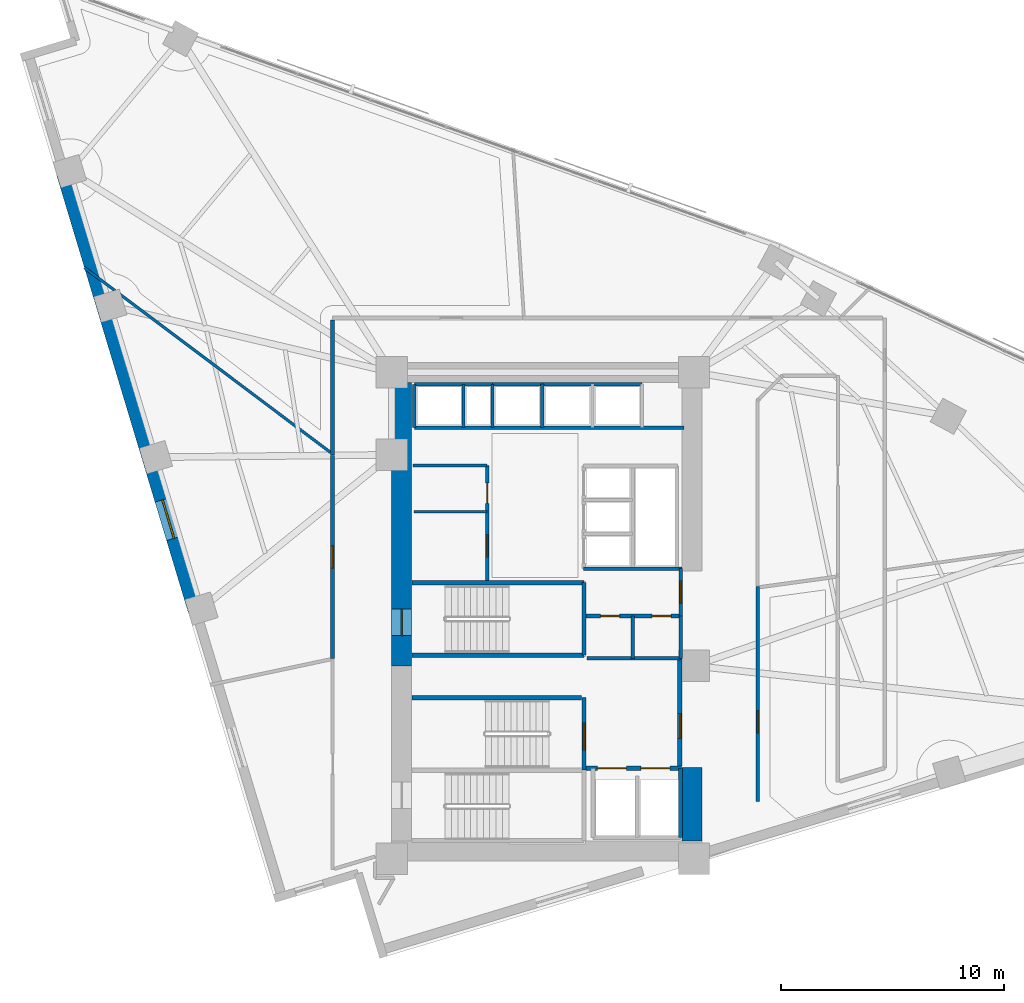
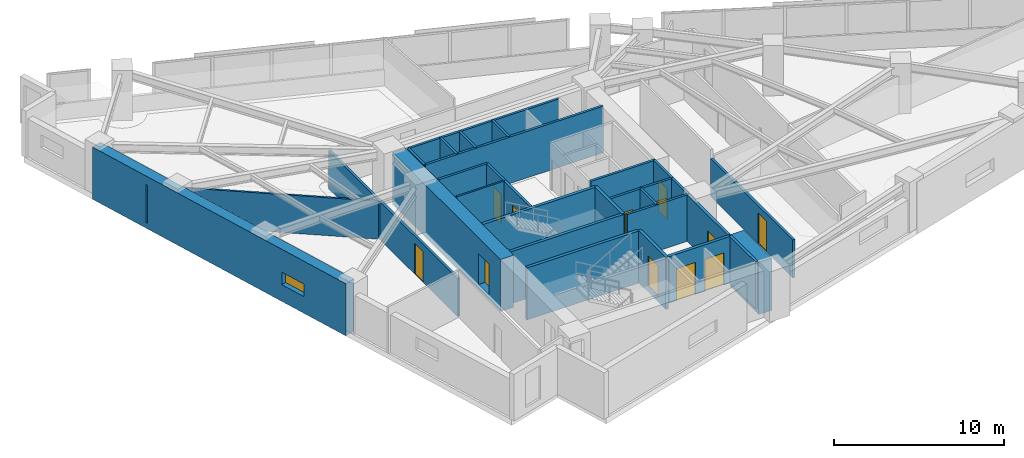
# One storey, part 10 of 16: 31 walls, 12 doors, 1 window, 13 openings.
"""IFC4 building model written with IfcOpenShell, lengths in metres."""

from ifc_helpers import new_model, si_unit, direction, frame, frame_2d, origin, place, context, subcontext, project, spatial, rectangle, extrude, material, layer, layer_set, type_object, element, fill, save


model = new_model("IFC4")

# Units and contexts
model_context = context("Model", 3, precision=1e-05, world=origin(), true_north=direction((0.0, 1.0)))
body_context = subcontext(model_context, "Body", "Model", "MODEL_VIEW")
ifc_project = project(units=[si_unit("LENGTHUNIT", "METRE"), si_unit("AREAUNIT", "SQUARE_METRE"), si_unit("VOLUMEUNIT", "CUBIC_METRE"), si_unit("PLANEANGLEUNIT", "RADIAN"), si_unit("MASSUNIT", "GRAM", prefix="KILO")], contexts=[model_context])

# Site, building, storey
site_placement = place(None, origin())
site = spatial("IfcSite", under=ifc_project, at=site_placement, CompositionType="ELEMENT")
building_placement = place(site_placement, origin())
building = spatial("IfcBuilding", under=site, at=building_placement, Name="Narakoshi Arena Tower", CompositionType="ELEMENT")
storey_placement = place(building_placement, frame((0.0, 0.0, 132.300048828125)))
storey = spatial("IfcBuildingStorey", under=building, at=storey_placement, Name="L35", CompositionType="ELEMENT", Elevation=132.300048828125)

# Wall
ifc_material_1 = material(Name="Concrete C60/75", Category="concrete")
ifc_layer_1 = layer(ifc_material_1, 0.89990234375)
ifc_layer_set_1 = layer_set([ifc_layer_1], Name="Concrete C60/75")
wall_type_1 = type_object("IfcWallType", Name="WL-CORE-900", PredefinedType="SHEAR", material=ifc_layer_set_1)
wall_1_placement = place(storey_placement, frame((85.449951171875, 35.5, -0.400146484375), z_axis=(0.0, 0.0, 1.0), x_axis=(0.0, 1.0, 0.0)))
element("IfcWall", 1, at=wall_1_placement, inside=storey, type_object=wall_type_1, Name="L35 Central Core Shear Wall CW-APX-E", PredefinedType="SHEAR", context=body_context, shape_type="SweptSolid", body=[
    extrude(rectangle(XDim=3.300048828125, YDim=0.89990234375, at=frame_2d((1.64990234375, 0.0))), origin(), (0.0, 0.0, 1.0), 3.739990234375),
])

# Wall, opening, door
wall_2_placement = place(storey_placement, frame((72.449951171875, 43.35009765625, -0.400146484375), z_axis=(0.0, 0.0, 1.0), x_axis=(0.0, 1.0, 0.0)))
wall_2 = element("IfcWall", 2, at=wall_2_placement, inside=storey, type_object=wall_type_1, Name="L35 Main Core Shear Wall CW-MN-W", PredefinedType="SHEAR", context=body_context, shape_type="SweptSolid", body=[
    extrude(rectangle(XDim=12.699951171875, YDim=0.89990234375, at=frame_2d((6.35009765625, 0.0))), origin(), (0.0, 0.0, 1.0), 3.739990234375),
])
opening_1_placement = place(wall_2_placement, frame((1.35009765625, 0.0, 0.39990234375)))
opening_1 = element("IfcOpeningElement", 3, at=opening_1_placement, cuts=wall_2, Name="Opening D-03", PredefinedType="OPENING", context=body_context, shape_type="SweptSolid", body=[
    extrude(rectangle(XDim=1.199951171875, YDim=2.199951171875, at=frame_2d((0.60009765625, 1.10009765625))), frame((0.0, 0.4599609375, 0.0), z_axis=(0.0, -1.0, 0.0), x_axis=(1.0, 0.0, 0.0)), (0.0, 0.0, 1.0), 0.919921875),
])
ifc_material_2 = material(Name="Painted galvanized steel", Category="steel")
door_type_1 = type_object("IfcDoorType", Name="DR-STR-1200", OperationType="NOTDEFINED", PredefinedType="USERDEFINED", material=ifc_material_2)
door_1_placement = place(opening_1_placement, frame((1.199951171875, 0.0, 0.0), z_axis=(0.0, 0.0, 1.0), x_axis=(-1.0, 0.0, 0.0)))
door_1 = element("IfcDoor", 4, at=door_1_placement, inside=storey, type_object=door_type_1, Name="DR-L35-006", ObjectType="EXITDOOR", OperationType="SINGLE_SWING_LEFT", OverallHeight=2.199951171875, OverallWidth=1.199951171875, PredefinedType="USERDEFINED", context=body_context, shape_type="SweptSolid", body=[
    extrude(rectangle(XDim=1.199951171875, YDim=2.199951171875, at=frame_2d((0.60009765625, 1.10009765625))), frame((0.0, 0.02490234375, 0.0), z_axis=(0.0, -1.0, 0.0), x_axis=(1.0, 0.0, 0.0)), (0.0, 0.0, 1.0), 0.050048828125),
])
fill(opening_1, door_1)

ifc_material_3 = material(Name="Gypsum plasterboard fire-rated partition")
ifc_layer_2 = layer(ifc_material_3, 0.1650390625)
ifc_layer_set_2 = layer_set([ifc_layer_2], Name="Gypsum plasterboard fire-rated partition")
wall_type_2 = type_object("IfcWallType", Name="WL-CORR-165", PredefinedType="PARTITIONING", material=ifc_layer_set_2)
wall_3_placement = place(storey_placement, frame((84.949951171875, 45.580078125, 0.0), z_axis=(0.0, 0.0, 1.0), x_axis=(0.0, 1.0, 0.0)))
wall_3 = element("IfcWall", 5, at=wall_3_placement, inside=storey, type_object=wall_type_2, Name="L35 Core Wall CPAS-E", PredefinedType="PARTITIONING", context=body_context, shape_type="SweptSolid", body=[
    extrude(rectangle(XDim=2.119873046875, YDim=0.1650390625, at=frame_2d((1.06005859375, 0.0))), origin(), (0.0, 0.0, 1.0), 3.33984375),
])
opening_2_placement = place(wall_3_placement, frame((0.56005859375, 0.0, 0.0)))
opening_2 = element("IfcOpeningElement", 6, at=opening_2_placement, cuts=wall_3, Name="Opening D-06", PredefinedType="OPENING", context=body_context, shape_type="SweptSolid", body=[
    extrude(rectangle(XDim=1.0, YDim=2.199951171875, at=frame_2d((0.5, 1.10009765625))), frame((0.0, 0.092529296875, 0.0), z_axis=(0.0, -1.0, 0.0), x_axis=(1.0, 0.0, 0.0)), (0.0, 0.0, 1.0), 0.18505859375),
])
ifc_material_4 = material(Name="Stained oak solid-core timber", Category="wood")
door_type_2 = type_object("IfcDoorType", Name="DR-OFF-1000", OperationType="NOTDEFINED", PredefinedType="DOOR", material=ifc_material_4)
door_2_placement = place(opening_2_placement, frame((1.0, 0.0, 0.0), z_axis=(0.0, 0.0, 1.0), x_axis=(-1.0, 0.0, 0.0)))
door_2 = element("IfcDoor", 7, at=door_2_placement, inside=storey, type_object=door_type_2, Name="DR-L35-007", OperationType="SINGLE_SWING_LEFT", OverallHeight=2.199951171875, OverallWidth=1.0, PredefinedType="DOOR", context=body_context, shape_type="SweptSolid", body=[
    extrude(rectangle(XDim=1.0, YDim=2.199951171875, at=frame_2d((0.5, 1.10009765625))), frame((0.0, 0.02490234375, 0.0), z_axis=(0.0, -1.0, 0.0), x_axis=(1.0, 0.0, 0.0)), (0.0, 0.0, 1.0), 0.050048828125),
])
fill(opening_2, door_2)

wall_4_placement = place(storey_placement, frame((88.39990234375, 37.256103515625, 0.0), z_axis=(0.0, 0.0, 1.0), x_axis=(0.0, 1.0, 0.0)))
wall_4 = element("IfcWall", 8, at=wall_4_placement, inside=storey, type_object=wall_type_2, Name="L35 Corridor Partition 02-1", PredefinedType="PARTITIONING", context=body_context, shape_type="SweptSolid", body=[
    extrude(rectangle(XDim=9.63818359375, YDim=0.1650390625, at=frame_2d((4.819091796875, 0.0))), origin(), (0.0, 0.0, 1.0), 2.724853515625),
])
opening_3_placement = place(wall_4_placement, frame((3.08349609375, 0.0, 0.0)))
opening_3 = element("IfcOpeningElement", 9, at=opening_3_placement, cuts=wall_4, Name="Opening D-06", PredefinedType="OPENING", context=body_context, shape_type="SweptSolid", body=[
    extrude(rectangle(XDim=1.0, YDim=2.199951171875, at=frame_2d((0.5, 1.10009765625))), frame((0.0, 0.092529296875, 0.0), z_axis=(0.0, -1.0, 0.0), x_axis=(1.0, 0.0, 0.0)), (0.0, 0.0, 1.0), 0.18505859375),
])
door_3_placement = place(opening_3_placement, frame((1.0, 0.0, 0.0), z_axis=(0.0, 0.0, 1.0), x_axis=(-1.0, 0.0, 0.0)))
door_3 = element("IfcDoor", 10, at=door_3_placement, inside=storey, type_object=door_type_2, Name="DR-L35-016", OperationType="SINGLE_SWING_RIGHT", OverallHeight=2.199951171875, OverallWidth=1.0, PredefinedType="DOOR", context=body_context, shape_type="SweptSolid", body=[
    extrude(rectangle(XDim=1.0, YDim=2.199951171875, at=frame_2d((0.5, 1.10009765625))), frame((0.0, 0.02490234375, 0.0), z_axis=(0.0, -1.0, 0.0), x_axis=(1.0, 0.0, 0.0)), (0.0, 0.0, 1.0), 0.050048828125),
])
fill(opening_3, door_3)

# Wall
wall_5_placement = place(storey_placement, frame((69.353759765625, 58.842529296875, 0.0), z_axis=(0.0, 0.0, 1.0), x_axis=(0.0, -1.0, 0.0)))
element("IfcWall", 11, at=wall_5_placement, inside=storey, type_object=wall_type_2, Name="L35 Corridor Partition 06-2", PredefinedType="PARTITIONING", context=body_context, shape_type="SweptSolid", body=[
    extrude(rectangle(XDim=6.04443359375, YDim=0.1650390625, at=frame_2d((3.022216796875, 0.0))), origin(), (0.0, 0.0, 1.0), 2.724853515625),
])

# Wall, opening, door
wall_6_placement = place(storey_placement, frame((69.353759765625, 52.76806640625, 0.0), z_axis=(0.0, 0.0, 1.0), x_axis=(0.0, -1.0, 0.0)))
wall_6 = element("IfcWall", 12, at=wall_6_placement, inside=storey, type_object=wall_type_2, Name="L35 Corridor Partition 07-1", PredefinedType="PARTITIONING", context=body_context, shape_type="SweptSolid", body=[
    extrude(rectangle(XDim=9.086181640625, YDim=0.1650390625, at=frame_2d((4.54296875, 0.0))), origin(), (0.0, 0.0, 1.0), 2.724853515625),
])
opening_4_placement = place(wall_6_placement, frame((4.043212890625, 0.0, 0.0)))
opening_4 = element("IfcOpeningElement", 13, at=opening_4_placement, cuts=wall_6, Name="Opening D-06", PredefinedType="OPENING", context=body_context, shape_type="SweptSolid", body=[
    extrude(rectangle(XDim=1.0, YDim=2.199951171875, at=frame_2d((0.5, 1.10009765625))), frame((0.0, 0.092529296875, 0.0), z_axis=(0.0, -1.0, 0.0), x_axis=(1.0, 0.0, 0.0)), (0.0, 0.0, 1.0), 0.18505859375),
])
door_4_placement = place(opening_4_placement, frame((1.0, 0.0, 0.0), z_axis=(0.0, 0.0, 1.0), x_axis=(-1.0, 0.0, 0.0)))
door_4 = element("IfcDoor", 14, at=door_4_placement, inside=storey, type_object=door_type_2, Name="DR-L35-021", OperationType="SINGLE_SWING_LEFT", OverallHeight=2.199951171875, OverallWidth=1.0, PredefinedType="DOOR", context=body_context, shape_type="SweptSolid", body=[
    extrude(rectangle(XDim=1.0, YDim=2.199951171875, at=frame_2d((0.5, 1.10009765625))), frame((0.0, 0.02490234375, 0.0), z_axis=(0.0, -1.0, 0.0), x_axis=(1.0, 0.0, 0.0)), (0.0, 0.0, 1.0), 0.050048828125),
])
fill(opening_4, door_4)

# Wall, opening, window
ifc_layer_3 = layer(ifc_material_1, 0.699951171875)
ifc_layer_set_3 = layer_set([ifc_layer_3], Name="Concrete C60/75")
wall_type_3 = type_object("IfcWallType", Name="WL-LEG-700", PredefinedType="SHEAR", material=ifc_layer_set_3)
wall_7_placement = place(storey_placement, frame((57.322509765625, 65.434326171875, -0.400146484375), z_axis=(0.0, 0.0, 1.0), x_axis=(0.288188159352, -0.957573801234, 0.0)))
wall_7 = element("IfcWall", 15, at=wall_7_placement, inside=storey, type_object=wall_type_3, Name="L35 Architectural Concrete Structural Wall LEGB-2", PredefinedType="SHEAR", context=body_context, shape_type="SweptSolid", body=[
    extrude(rectangle(XDim=20.468994140625, YDim=0.699951171875, at=frame_2d((10.234375, 0.0))), origin(), (0.0, 0.0, 1.0), 3.739990234375),
])
opening_5_placement = place(wall_7_placement, frame((15.300048828125, 0.0, 1.199951171875)))
opening_5 = element("IfcOpeningElement", 16, at=opening_5_placement, cuts=wall_7, Name="Opening WN-02", PredefinedType="OPENING", context=body_context, shape_type="SweptSolid", body=[
    extrude(rectangle(XDim=1.800048828125, YDim=0.89990234375, at=frame_2d((0.89990234375, 0.449951171875))), frame((0.0, 0.35986328125, 0.0), z_axis=(0.0, -1.0, 0.0), x_axis=(1.0, 0.0, 0.0)), (0.0, 0.0, 1.0), 0.719970703125),
])
ifc_material_5 = material(Name="Bronze-tinted low-E laminated glass", Category="glass")
window_type = type_object("IfcWindowType", Name="WIN-SLT-18x09", PartitioningType="SINGLE_PANEL", PredefinedType="WINDOW", material=ifc_material_5)
window_placement = place(opening_5_placement, origin())
window = element("IfcWindow", 17, at=window_placement, inside=storey, type_object=window_type, Name="L35 LEGB2 Horizontal Slot Window 1", OverallHeight=0.89990234375, OverallWidth=1.800048828125, PartitioningType="SINGLE_PANEL", PredefinedType="WINDOW", context=body_context, shape_type="SweptSolid", body=[
    extrude(rectangle(XDim=1.800048828125, YDim=0.89990234375, at=frame_2d((0.89990234375, 0.449951171875))), frame((0.0, 0.030029296875, 0.0), z_axis=(0.0, -1.0, 0.0), x_axis=(1.0, 0.0, 0.0)), (0.0, 0.0, 1.0), 0.06005859375),
])
fill(opening_5, window)

# Walls
ifc_layer_4 = layer(ifc_material_3, 0.125)
ifc_layer_set_4 = layer_set([ifc_layer_4], Name="Gypsum plasterboard fire-rated partition")
wall_type_4 = type_object("IfcWallType", Name="WL-PART-125", PredefinedType="PARTITIONING", material=ifc_layer_set_4)
wall_8_placement = place(storey_placement, frame((73.0, 50.25, 0.0), z_axis=(0.0, 0.0, 1.0), x_axis=(1.0, 0.0, 0.0)))
element("IfcWall", 18, at=wall_8_placement, inside=storey, type_object=wall_type_4, Name="L35 Core Wall RCL-LR-D2", PredefinedType="PARTITIONING", context=body_context, shape_type="SweptSolid", body=[
    extrude(rectangle(XDim=3.280029296875, YDim=0.125, at=frame_2d((1.64013671875, 0.0))), origin(), (0.0, 0.0, 1.0), 3.33984375),
])
wall_9_placement = place(storey_placement, frame((69.25927734375, 52.914306640625, 0.0), z_axis=(0.0, 0.0, 1.0), x_axis=(-0.799887318225, 0.600150212983, 0.0)))
element("IfcWall", 19, at=wall_9_placement, inside=storey, type_object=wall_type_4, Name="L35 Inter-Room Partition 06-07", PredefinedType="PARTITIONING", context=body_context, shape_type="SweptSolid", body=[
    extrude(rectangle(XDim=13.781494140625, YDim=0.125, at=frame_2d((6.890625, 0.0))), origin(), (0.0, 0.0, 1.0), 2.724853515625),
])
ifc_material_6 = material(Name="Concrete C40/50", Category="concrete")
ifc_layer_5 = layer(ifc_material_6, 0.280029296875)
ifc_layer_set_5 = layer_set([ifc_layer_5], Name="Concrete C40/50")
wall_type_5 = type_object("IfcWallType", Name="WL-RISER-280", PredefinedType="PLUMBINGWALL", material=ifc_layer_set_5)
wall_10_placement = place(storey_placement, frame((84.949951171875, 43.679931640625, 0.0), z_axis=(0.0, 0.0, 1.0), x_axis=(0.0, 1.0, 0.0)))
element("IfcWall", 20, at=wall_10_placement, inside=storey, type_object=wall_type_5, Name="L35 Core Wall RSR-E", PredefinedType="PLUMBINGWALL", context=body_context, shape_type="SweptSolid", body=[
    extrude(rectangle(XDim=1.900146484375, YDim=0.1650390625, at=frame_2d((0.9501953125, 0.0))), origin(), (0.0, 0.0, 1.0), 3.33984375),
])

# Wall, openings, doors
wall_11_placement = place(storey_placement, frame((80.719970703125, 45.580078125, 0.0), z_axis=(0.0, 0.0, 1.0), x_axis=(1.0, 0.0, 0.0)))
wall_11 = element("IfcWall", 21, at=wall_11_placement, inside=storey, type_object=wall_type_5, Name="L35 Core Wall RSR-N", PredefinedType="PLUMBINGWALL", context=body_context, shape_type="SweptSolid", body=[
    extrude(rectangle(XDim=4.22998046875, YDim=0.159912109375, at=frame_2d((2.114990234375, 0.0))), origin(), (0.0, 0.0, 1.0), 3.33984375),
])
opening_6_placement = place(wall_11_placement, frame((0.64990234375, 0.0, 0.0)))
opening_6 = element("IfcOpeningElement", 22, at=opening_6_placement, cuts=wall_11, Name="Opening D-10", PredefinedType="OPENING", context=body_context, shape_type="SweptSolid", body=[
    extrude(rectangle(XDim=0.85009765625, YDim=2.050048828125, at=frame_2d((0.425048828125, 1.02490234375))), frame((0.0, 0.08984375, 0.0), z_axis=(0.0, -1.0, 0.0), x_axis=(1.0, 0.0, 0.0)), (0.0, 0.0, 1.0), 0.179931640625),
])
opening_7_placement = place(wall_11_placement, frame((2.949951171875, 0.0, 0.0)))
opening_7 = element("IfcOpeningElement", 23, at=opening_7_placement, cuts=wall_11, Name="Opening D-10", PredefinedType="OPENING", context=body_context, shape_type="SweptSolid", body=[
    extrude(rectangle(XDim=0.85009765625, YDim=2.050048828125, at=frame_2d((0.425048828125, 1.02490234375))), frame((0.0, 0.08984375, 0.0), z_axis=(0.0, -1.0, 0.0), x_axis=(1.0, 0.0, 0.0)), (0.0, 0.0, 1.0), 0.179931640625),
])
door_type_3 = type_object("IfcDoorType", Name="DR-RSR-850", OperationType="NOTDEFINED", PredefinedType="DOOR", material=ifc_material_2)
door_5_placement = place(opening_6_placement, frame((0.85009765625, 0.0, 0.0), z_axis=(0.0, 0.0, 1.0), x_axis=(-1.0, 0.0, 0.0)))
door_5 = element("IfcDoor", 24, at=door_5_placement, inside=storey, type_object=door_type_3, Name="DR-L35-008", OperationType="SINGLE_SWING_LEFT", OverallHeight=2.050048828125, OverallWidth=0.85009765625, PredefinedType="DOOR", context=body_context, shape_type="SweptSolid", body=[
    extrude(rectangle(XDim=0.85009765625, YDim=2.050048828125, at=frame_2d((0.425048828125, 1.02490234375))), frame((0.0, 0.02490234375, 0.0), z_axis=(0.0, -1.0, 0.0), x_axis=(1.0, 0.0, 0.0)), (0.0, 0.0, 1.0), 0.050048828125),
])
fill(opening_6, door_5)
door_6_placement = place(opening_7_placement, frame((0.85009765625, 0.0, 0.0), z_axis=(0.0, 0.0, 1.0), x_axis=(-1.0, 0.0, 0.0)))
door_6 = element("IfcDoor", 25, at=door_6_placement, inside=storey, type_object=door_type_3, Name="DR-L35-009", OperationType="SINGLE_SWING_RIGHT", OverallHeight=2.050048828125, OverallWidth=0.85009765625, PredefinedType="DOOR", context=body_context, shape_type="SweptSolid", body=[
    extrude(rectangle(XDim=0.85009765625, YDim=2.050048828125, at=frame_2d((0.425048828125, 1.02490234375))), frame((0.0, 0.02490234375, 0.0), z_axis=(0.0, -1.0, 0.0), x_axis=(1.0, 0.0, 0.0)), (0.0, 0.0, 1.0), 0.050048828125),
])
fill(opening_7, door_6)

# Walls
wall_12_placement = place(storey_placement, frame((80.760009765625, 43.679931640625, 0.0), z_axis=(0.0, 0.0, 1.0), x_axis=(1.0, 0.0, 0.0)))
element("IfcWall", 26, at=wall_12_placement, inside=storey, type_object=wall_type_5, Name="L35 Core Wall RSR-S", PredefinedType="PLUMBINGWALL", context=body_context, shape_type="SweptSolid", body=[
    extrude(rectangle(XDim=4.18994140625, YDim=0.159912109375, at=frame_2d((2.094970703125, 0.0))), origin(), (0.0, 0.0, 1.0), 3.33984375),
])
wall_13_placement = place(storey_placement, frame((82.800048828125, 43.679931640625, 0.0), z_axis=(0.0, 0.0, 1.0), x_axis=(0.0, 1.0, 0.0)))
element("IfcWall", 27, at=wall_13_placement, inside=storey, type_object=wall_type_5, Name="L35 Core Wall RSR-M", PredefinedType="PLUMBINGWALL", context=body_context, shape_type="SweptSolid", body=[
    extrude(rectangle(XDim=1.900146484375, YDim=0.159912109375, at=frame_2d((0.9501953125, 0.0))), origin(), (0.0, 0.0, 1.0), 3.33984375),
])
for number, where, z_axis, x_axis, name in (
    (28, (73.02001953125, 54.02001953125, 0.0), (0.0, 0.0, 1.0), (0.0, 1.0, 0.0), "L35 Core Wall OBS-W"),
    (29, (75.219970703125, 54.02001953125, 0.0), (0.0, 0.0, 1.0), (0.0, 1.0, 0.0), "L35 Core Wall OBS-M"),
):
    element("IfcWall", number, at=place(storey_placement, frame(where, z_axis=z_axis, x_axis=x_axis)), inside=storey, type_object=wall_type_5, Name=name, PredefinedType="PLUMBINGWALL", context=body_context, shape_type="SweptSolid", body=[
        extrude(rectangle(XDim=1.93994140625, YDim=0.14990234375, at=frame_2d((0.969970703125, 0.0))), origin(), (0.0, 0.0, 1.0), 3.33984375),
    ])
wall_14_placement = place(storey_placement, frame((78.75, 54.02001953125, 0.0), z_axis=(0.0, 0.0, 1.0), x_axis=(0.0, 1.0, 0.0)))
element("IfcWall", 30, at=wall_14_placement, inside=storey, type_object=wall_type_5, Name="L35 Core Wall HR-D1", PredefinedType="PLUMBINGWALL", context=body_context, shape_type="SweptSolid", body=[
    extrude(rectangle(XDim=1.9599609375, YDim=0.14990234375, at=frame_2d((0.97998046875, 0.0))), origin(), (0.0, 0.0, 1.0), 3.33984375),
])

# Wall, opening, door
ifc_material_7 = material(Name="Concrete C50/60", Category="concrete")
ifc_layer_6 = layer(ifc_material_7, 0.35009765625)
ifc_layer_set_6 = layer_set([ifc_layer_6], Name="Concrete C50/60")
wall_type_6 = type_object("IfcWallType", Name="WL-SHAFT-350", PredefinedType="SOLIDWALL", material=ifc_layer_set_6)
wall_15_placement = place(storey_placement, frame((80.6201171875, 38.675048828125, -0.400146484375), z_axis=(0.0, 0.0, 1.0), x_axis=(0.0, 1.0, 0.0)))
wall_15 = element("IfcWall", 31, at=wall_15_placement, inside=storey, type_object=wall_type_6, Name="L35 Core Wall ST2-E", PredefinedType="SOLIDWALL", context=body_context, shape_type="SweptSolid", body=[
    extrude(rectangle(XDim=3.244873046875, YDim=0.199951171875, at=frame_2d((1.62255859375, 0.0))), origin(), (0.0, 0.0, 1.0), 3.739990234375),
])
opening_8_placement = place(wall_15_placement, frame((0.89990234375, 0.0, 0.39990234375)))
opening_8 = element("IfcOpeningElement", 32, at=opening_8_placement, cuts=wall_15, Name="Opening D-03", PredefinedType="OPENING", context=body_context, shape_type="SweptSolid", body=[
    extrude(rectangle(XDim=1.199951171875, YDim=2.199951171875, at=frame_2d((0.60009765625, 1.10009765625))), frame((0.0, 0.10986328125, 0.0), z_axis=(0.0, -1.0, 0.0), x_axis=(1.0, 0.0, 0.0)), (0.0, 0.0, 1.0), 0.219970703125),
])
door_7_placement = place(opening_8_placement, origin())
door_7 = element("IfcDoor", 33, at=door_7_placement, inside=storey, type_object=door_type_1, Name="DR-L35-002", ObjectType="EXITDOOR", OperationType="SINGLE_SWING_RIGHT", OverallHeight=2.199951171875, OverallWidth=1.199951171875, PredefinedType="USERDEFINED", context=body_context, shape_type="SweptSolid", body=[
    extrude(rectangle(XDim=1.199951171875, YDim=2.199951171875, at=frame_2d((0.60009765625, 1.10009765625))), frame((0.0, 0.02490234375, 0.0), z_axis=(0.0, -1.0, 0.0), x_axis=(1.0, 0.0, 0.0)), (0.0, 0.0, 1.0), 0.050048828125),
])
fill(opening_8, door_7)

# Wall, openings, doors
wall_16_placement = place(storey_placement, frame((80.719970703125, 38.75, 0.0), z_axis=(0.0, 0.0, 1.0), x_axis=(1.0, 0.0, 0.0)))
wall_16 = element("IfcWall", 34, at=wall_16_placement, inside=storey, type_object=wall_type_6, Name="L35 Core Wall FF-N", PredefinedType="SOLIDWALL", context=body_context, shape_type="SweptSolid", body=[
    extrude(rectangle(XDim=4.260009765625, YDim=0.199951171875, at=frame_2d((2.1298828125, 0.0))), origin(), (0.0, 0.0, 1.0), 3.33984375),
])
opening_9_placement = place(wall_16_placement, frame((0.5, 0.0, 0.0)))
opening_9 = element("IfcOpeningElement", 35, at=opening_9_placement, cuts=wall_16, Name="Opening LD-02", PredefinedType="OPENING", context=body_context, shape_type="SweptSolid", body=[
    extrude(rectangle(XDim=1.300048828125, YDim=2.300048828125, at=frame_2d((0.64990234375, 1.14990234375))), frame((0.0, 0.10986328125, 0.0), z_axis=(0.0, -1.0, 0.0), x_axis=(1.0, 0.0, 0.0)), (0.0, 0.0, 1.0), 0.219970703125),
])
opening_10_placement = place(wall_16_placement, frame((2.449951171875, 0.0, 0.0)))
opening_10 = element("IfcOpeningElement", 36, at=opening_10_placement, cuts=wall_16, Name="Opening LD-02", PredefinedType="OPENING", context=body_context, shape_type="SweptSolid", body=[
    extrude(rectangle(XDim=1.300048828125, YDim=2.300048828125, at=frame_2d((0.64990234375, 1.14990234375))), frame((0.0, 0.10986328125, 0.0), z_axis=(0.0, -1.0, 0.0), x_axis=(1.0, 0.0, 0.0)), (0.0, 0.0, 1.0), 0.219970703125),
])
ifc_material_8 = material(Name="Brushed bronze stainless steel", Category="steel")
door_type_4 = type_object("IfcDoorType", Name="DR-LFT-1300", OperationType="DOUBLE_DOOR_SLIDING", PredefinedType="DOOR", material=ifc_material_8)
door_8_placement = place(opening_9_placement, origin())
door_8 = element("IfcDoor", 37, at=door_8_placement, inside=storey, type_object=door_type_4, Name="DR-L35-003", OperationType="DOUBLE_DOOR_SLIDING", OverallHeight=2.300048828125, OverallWidth=1.300048828125, PredefinedType="DOOR", context=body_context, shape_type="SweptSolid", body=[
    extrude(rectangle(XDim=1.300048828125, YDim=2.300048828125, at=frame_2d((0.64990234375, 1.14990234375))), frame((0.0, 0.02490234375, 0.0), z_axis=(0.0, -1.0, 0.0), x_axis=(1.0, 0.0, 0.0)), (0.0, 0.0, 1.0), 0.050048828125),
])
fill(opening_9, door_8)
door_9_placement = place(opening_10_placement, origin())
door_9 = element("IfcDoor", 38, at=door_9_placement, inside=storey, type_object=door_type_4, Name="DR-L35-004", OperationType="DOUBLE_DOOR_SLIDING", OverallHeight=2.300048828125, OverallWidth=1.300048828125, PredefinedType="DOOR", context=body_context, shape_type="SweptSolid", body=[
    extrude(rectangle(XDim=1.300048828125, YDim=2.300048828125, at=frame_2d((0.64990234375, 1.14990234375))), frame((0.0, 0.02490234375, 0.0), z_axis=(0.0, -1.0, 0.0), x_axis=(1.0, 0.0, 0.0)), (0.0, 0.0, 1.0), 0.050048828125),
])
fill(opening_10, door_9)

# Wall
wall_17_placement = place(storey_placement, frame((84.949951171875, 35.64990234375, 0.0), z_axis=(0.0, 0.0, 1.0), x_axis=(0.0, 1.0, 0.0)))
element("IfcWall", 39, at=wall_17_placement, inside=storey, type_object=wall_type_6, Name="L35 Core Wall FF-E", PredefinedType="SOLIDWALL", context=body_context, shape_type="SweptSolid", body=[
    extrude(rectangle(XDim=3.10009765625, YDim=0.179931640625, at=frame_2d((1.550048828125, 0.0))), origin(), (0.0, 0.0, 1.0), 3.33984375),
])

# Wall, opening, door
wall_18_placement = place(storey_placement, frame((84.919921875, 38.85009765625, 0.0), z_axis=(0.0, 0.0, 1.0), x_axis=(0.0, 1.0, 0.0)))
wall_18 = element("IfcWall", 40, at=wall_18_placement, inside=storey, type_object=wall_type_6, Name="L35 Core Wall FFLOB-E", PredefinedType="SOLIDWALL", context=body_context, shape_type="SweptSolid", body=[
    extrude(rectangle(XDim=4.829833984375, YDim=0.199951171875, at=frame_2d((2.4150390625, 0.0))), origin(), (0.0, 0.0, 1.0), 3.33984375),
])
opening_11_placement = place(wall_18_placement, frame((1.25, 0.0, 0.0)))
opening_11 = element("IfcOpeningElement", 41, at=opening_11_placement, cuts=wall_18, Name="Opening D-04", PredefinedType="OPENING", context=body_context, shape_type="SweptSolid", body=[
    extrude(rectangle(XDim=1.10009765625, YDim=2.199951171875, at=frame_2d((0.550048828125, 1.10009765625))), frame((0.0, 0.10986328125, 0.0), z_axis=(0.0, -1.0, 0.0), x_axis=(1.0, 0.0, 0.0)), (0.0, 0.0, 1.0), 0.219970703125),
])
door_type_5 = type_object("IfcDoorType", Name="DR-FFL-1100", OperationType="NOTDEFINED", PredefinedType="DOOR", material=ifc_material_2)
door_10_placement = place(opening_11_placement, frame((1.10009765625, 0.0, 0.0), z_axis=(0.0, 0.0, 1.0), x_axis=(-1.0, 0.0, 0.0)))
door_10 = element("IfcDoor", 42, at=door_10_placement, inside=storey, type_object=door_type_5, Name="DR-L35-005", OperationType="SINGLE_SWING_RIGHT", OverallHeight=2.199951171875, OverallWidth=1.10009765625, PredefinedType="DOOR", context=body_context, shape_type="SweptSolid", body=[
    extrude(rectangle(XDim=1.10009765625, YDim=2.199951171875, at=frame_2d((0.550048828125, 1.10009765625))), frame((0.0, 0.02490234375, 0.0), z_axis=(0.0, -1.0, 0.0), x_axis=(1.0, 0.0, 0.0)), (0.0, 0.0, 1.0), 0.050048828125),
])
fill(opening_11, door_10)

# Walls
wall_19_placement = place(storey_placement, frame((72.919921875, 41.919921875, -0.400146484375), z_axis=(0.0, 0.0, 1.0), x_axis=(1.0, 0.0, 0.0)))
element("IfcWall", 43, at=wall_19_placement, inside=storey, type_object=wall_type_6, Name="L35 Core Wall ST2-N", PredefinedType="SOLIDWALL", context=body_context, shape_type="SweptSolid", body=[
    extrude(rectangle(XDim=7.580078125, YDim=0.199951171875, at=frame_2d((3.7900390625, 0.0))), origin(), (0.0, 0.0, 1.0), 3.739990234375),
])
for number, where, z_axis, x_axis, name in (
    (44, (72.919921875, 43.830078125, -0.400146484375), (0.0, 0.0, 1.0), (1.0, 0.0, 0.0), "L35 Core Wall ST3-S"),
    (45, (72.919921875, 47.070068359375, -0.400146484375), (0.0, 0.0, 1.0), (1.0, 0.0, 0.0), "L35 Core Wall ST3-N"),
):
    element("IfcWall", number, at=place(storey_placement, frame(where, z_axis=z_axis, x_axis=x_axis)), inside=storey, type_object=wall_type_6, Name=name, PredefinedType="SOLIDWALL", context=body_context, shape_type="SweptSolid", body=[
        extrude(rectangle(XDim=7.7001953125, YDim=0.199951171875, at=frame_2d((3.85009765625, 0.0))), origin(), (0.0, 0.0, 1.0), 3.739990234375),
    ])
wall_20_placement = place(storey_placement, frame((80.6201171875, 43.830078125, -0.400146484375), z_axis=(0.0, 0.0, 1.0), x_axis=(0.0, 1.0, 0.0)))
element("IfcWall", 46, at=wall_20_placement, inside=storey, type_object=wall_type_6, Name="L35 Core Wall ST3-E", PredefinedType="SOLIDWALL", context=body_context, shape_type="SweptSolid", body=[
    extrude(rectangle(XDim=3.239990234375, YDim=0.199951171875, at=frame_2d((1.6201171875, 0.0))), origin(), (0.0, 0.0, 1.0), 3.739990234375),
])

# Wall, openings, doors
wall_21_placement = place(storey_placement, frame((76.280029296875, 47.179931640625, 0.0), z_axis=(0.0, 0.0, 1.0), x_axis=(0.0, 1.0, 0.0)))
wall_21 = element("IfcWall", 47, at=wall_21_placement, inside=storey, type_object=wall_type_6, Name="L35 Core Wall LR-E", PredefinedType="SOLIDWALL", context=body_context, shape_type="SweptSolid", body=[
    extrude(rectangle(XDim=5.14013671875, YDim=0.159912109375, at=frame_2d((2.570068359375, 0.0))), origin(), (0.0, 0.0, 1.0), 3.33984375),
])
opening_12_placement = place(wall_21_placement, frame((1.050048828125, 0.0, 0.0)))
opening_12 = element("IfcOpeningElement", 48, at=opening_12_placement, cuts=wall_21, Name="Opening D-06", PredefinedType="OPENING", context=body_context, shape_type="SweptSolid", body=[
    extrude(rectangle(XDim=1.0, YDim=2.199951171875, at=frame_2d((0.5, 1.10009765625))), frame((0.0, 0.08984375, 0.0), z_axis=(0.0, -1.0, 0.0), x_axis=(1.0, 0.0, 0.0)), (0.0, 0.0, 1.0), 0.179931640625),
])
opening_13_placement = place(wall_21_placement, frame((3.449951171875, 0.0, 0.0)))
opening_13 = element("IfcOpeningElement", 49, at=opening_13_placement, cuts=wall_21, Name="Opening D-08", PredefinedType="OPENING", context=body_context, shape_type="SweptSolid", body=[
    extrude(rectangle(XDim=0.89990234375, YDim=2.10009765625, at=frame_2d((0.449951171875, 1.050048828125))), frame((0.0, 0.08984375, 0.0), z_axis=(0.0, -1.0, 0.0), x_axis=(1.0, 0.0, 0.0)), (0.0, 0.0, 1.0), 0.179931640625),
])
door_11_placement = place(opening_12_placement, frame((1.0, 0.0, 0.0), z_axis=(0.0, 0.0, 1.0), x_axis=(-1.0, 0.0, 0.0)))
door_11 = element("IfcDoor", 50, at=door_11_placement, inside=storey, type_object=door_type_2, Name="DR-L35-010", OperationType="SINGLE_SWING_RIGHT", OverallHeight=2.199951171875, OverallWidth=1.0, PredefinedType="DOOR", context=body_context, shape_type="SweptSolid", body=[
    extrude(rectangle(XDim=1.0, YDim=2.199951171875, at=frame_2d((0.5, 1.10009765625))), frame((0.0, 0.02490234375, 0.0), z_axis=(0.0, -1.0, 0.0), x_axis=(1.0, 0.0, 0.0)), (0.0, 0.0, 1.0), 0.050048828125),
])
fill(opening_12, door_11)
ifc_material_9 = material(Name="Moisture-resistant laminate timber", Category="wood")
door_type_6 = type_object("IfcDoorType", Name="DR-WC-900", OperationType="NOTDEFINED", PredefinedType="DOOR", material=ifc_material_9)
door_12_placement = place(opening_13_placement, frame((0.89990234375, 0.0, 0.0), z_axis=(0.0, 0.0, 1.0), x_axis=(-1.0, 0.0, 0.0)))
door_12 = element("IfcDoor", 51, at=door_12_placement, inside=storey, type_object=door_type_6, Name="DR-L35-011", OperationType="SINGLE_SWING_LEFT", OverallHeight=2.10009765625, OverallWidth=0.89990234375, PredefinedType="DOOR", context=body_context, shape_type="SweptSolid", body=[
    extrude(rectangle(XDim=0.89990234375, YDim=2.10009765625, at=frame_2d((0.449951171875, 1.050048828125))), frame((0.0, 0.02490234375, 0.0), z_axis=(0.0, -1.0, 0.0), x_axis=(1.0, 0.0, 0.0)), (0.0, 0.0, 1.0), 0.050048828125),
])
fill(opening_13, door_12)

# Walls
wall_22_placement = place(storey_placement, frame((72.949951171875, 52.320068359375, 0.0), z_axis=(0.0, 0.0, 1.0), x_axis=(1.0, 0.0, 0.0)))
element("IfcWall", 52, at=wall_22_placement, inside=storey, type_object=wall_type_6, Name="L35 Core Wall LR-N", PredefinedType="SOLIDWALL", context=body_context, shape_type="SweptSolid", body=[
    extrude(rectangle(XDim=3.330078125, YDim=0.14990234375, at=frame_2d((1.6650390625, 0.0))), origin(), (0.0, 0.0, 1.0), 3.33984375),
])
wall_23_placement = place(storey_placement, frame((80.60009765625, 47.699951171875, 0.0), z_axis=(0.0, 0.0, 1.0), x_axis=(1.0, 0.0, 0.0)))
element("IfcWall", 53, at=wall_23_placement, inside=storey, type_object=wall_type_6, Name="L35 Core Wall MR-S", PredefinedType="SOLIDWALL", context=body_context, shape_type="SweptSolid", body=[
    extrude(rectangle(XDim=4.39990234375, YDim=0.159912109375, at=frame_2d((2.199951171875, 0.0))), origin(), (0.0, 0.0, 1.0), 3.33984375),
])
wall_24_placement = place(storey_placement, frame((73.02001953125, 54.02001953125, 0.0), z_axis=(0.0, 0.0, 1.0), x_axis=(1.0, 0.0, 0.0)))
element("IfcWall", 54, at=wall_24_placement, inside=storey, type_object=wall_type_6, Name="L35 Core Wall NSHF-S", PredefinedType="SOLIDWALL", context=body_context, shape_type="SweptSolid", body=[
    extrude(rectangle(XDim=12.080078125, YDim=0.159912109375, at=frame_2d((6.0400390625, 0.0))), origin(), (0.0, 0.0, 1.0), 3.33984375),
])
wall_25_placement = place(storey_placement, frame((73.02001953125, 55.9599609375, 0.0), z_axis=(0.0, 0.0, 1.0), x_axis=(1.0, 0.0, 0.0)))
element("IfcWall", 55, at=wall_25_placement, inside=storey, type_object=wall_type_6, Name="L35 Core Wall OBS-N", PredefinedType="SOLIDWALL", context=body_context, shape_type="SweptSolid", body=[
    extrude(rectangle(XDim=3.5, YDim=0.14990234375, at=frame_2d((1.75, 0.0))), origin(), (0.0, 0.0, 1.0), 3.33984375),
])
wall_26_placement = place(storey_placement, frame((76.52001953125, 54.02001953125, 0.0), z_axis=(0.0, 0.0, 1.0), x_axis=(0.0, 1.0, 0.0)))
element("IfcWall", 56, at=wall_26_placement, inside=storey, type_object=wall_type_6, Name="L35 Core Wall OBS-E", PredefinedType="SOLIDWALL", context=body_context, shape_type="SweptSolid", body=[
    extrude(rectangle(XDim=1.93994140625, YDim=0.14990234375, at=frame_2d((0.969970703125, 0.0))), origin(), (0.0, 0.0, 1.0), 3.33984375),
])
wall_27_placement = place(storey_placement, frame((76.52001953125, 55.9599609375, 0.0), z_axis=(0.0, 0.0, 1.0), x_axis=(1.0, 0.0, 0.0)))
element("IfcWall", 57, at=wall_27_placement, inside=storey, type_object=wall_type_6, Name="L35 Core Wall HR-N", PredefinedType="SOLIDWALL", context=body_context, shape_type="SweptSolid", body=[
    extrude(rectangle(XDim=6.699951171875, YDim=0.14990234375, at=frame_2d((3.35009765625, 0.0))), origin(), (0.0, 0.0, 1.0), 3.33984375),
])

save(model, "model.ifc")
